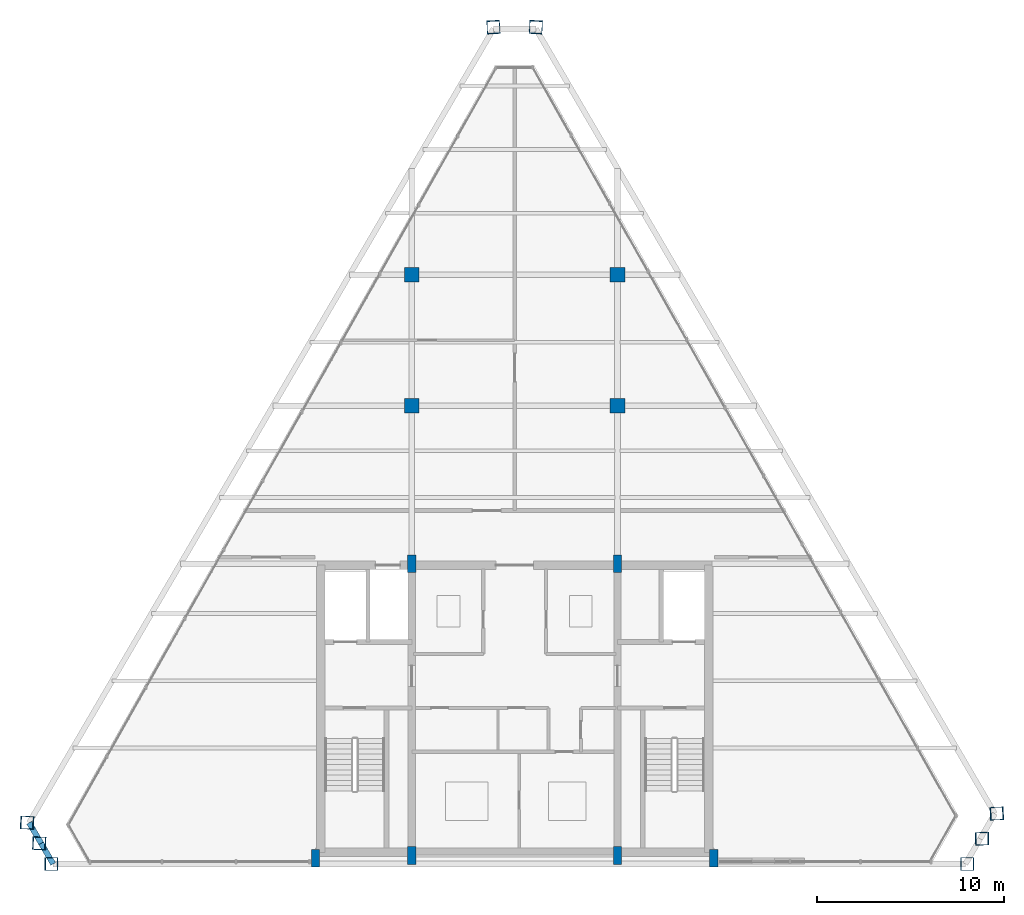
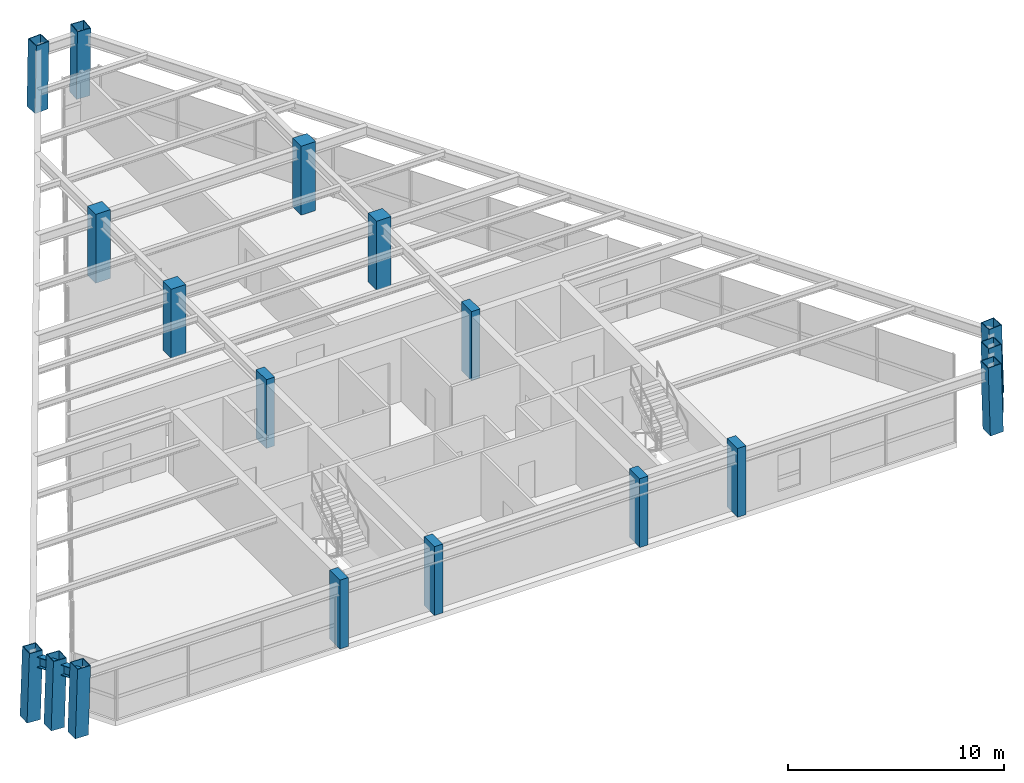
# One storey, part 1 of 12: 18 columns, 2 beams.
"""IFC4 building model written with IfcOpenShell, lengths in metres."""

import ifcopenshell
import ifcopenshell.guid

model = None  # the IFC model being written
_history = None  # IfcOwnerHistory: only IFC2X3 demands one
_inside = {}  # id of a spatial element -> (the spatial element, [elements in it])
_under = {}  # id of a project, library or spatial element -> (it, [spatial elements below it])
_declared = {}  # id of a project -> (the project, [libraries it declares])
_typed = {}  # id of a type object -> (the type object, [elements of that type])
_made_of = {}  # id of a material, layer set ... -> (it, [elements and type objects made of it])


def new_model(schema):
    """Start an empty IFC model of exactly this schema.

    Asked for "IFC4X3", IfcOpenShell would pick the latest addendum, in which some entities
    have other attributes; the version numbers below select the first issue.
    IFC2X3 requires an IfcOwnerHistory on every rooted entity: one is made here for all.
    """
    global model, _history
    if schema == "IFC4X3":
        model = ifcopenshell.file(schema_version=(4, 3, 0, 0))
    else:
        model = ifcopenshell.file(schema=schema)
    _inside.clear()
    _under.clear()
    _declared.clear()
    _typed.clear()
    _made_of.clear()
    _history = None
    if model.schema == "IFC2X3":
        org = make("IfcOrganization", Name="unknown")
        user = make(
            "IfcPersonAndOrganization",
            ThePerson=make("IfcPerson", FamilyName="unknown"),
            TheOrganization=org,
        )
        app = make(
            "IfcApplication",
            ApplicationDeveloper=org,
            Version="unknown",
            ApplicationFullName="unknown",
            ApplicationIdentifier="unknown",
        )
        _history = make(
            "IfcOwnerHistory",
            OwningUser=user,
            OwningApplication=app,
            ChangeAction="ADDED",
            CreationDate=0,
        )
    return model


def make(cls, **values):
    """One entity of the class cls with the attributes given. An attribute that is None is left unset."""
    return model.create_entity(
        cls, **{name: value for name, value in values.items() if value is not None}
    )


def rooted(cls, **values):
    """An entity with a GlobalId (a new one), such as an element, a storey or a relation."""
    return make(cls, GlobalId=ifcopenshell.guid.new(), OwnerHistory=_history, **values)


def si_unit(unit_type, name, prefix=None):
    """IfcSIUnit, for example si_unit("LENGTHUNIT", "METRE", prefix="MILLI")."""
    return make("IfcSIUnit", UnitType=unit_type, Prefix=prefix, Name=name)


def assignment(units):
    """IfcUnitAssignment: the units of a project."""
    return None if units is None else make("IfcUnitAssignment", Units=units)


def point(xyz):
    """IfcCartesianPoint."""
    return None if xyz is None else make("IfcCartesianPoint", Coordinates=xyz)


def direction(xyz):
    """IfcDirection."""
    return None if xyz is None else make("IfcDirection", DirectionRatios=xyz)


def frame(location, z_axis=None, x_axis=None):
    """IfcAxis2Placement3D, a coordinate frame: its origin and axes. An axis left out is left unset."""
    return make(
        "IfcAxis2Placement3D",
        Location=point(location),
        Axis=direction(z_axis),
        RefDirection=direction(x_axis),
    )


def frame_2d(location, x_axis=None):
    """IfcAxis2Placement2D, a coordinate frame in the plane: its origin and x axis."""
    return make(
        "IfcAxis2Placement2D", Location=point(location), RefDirection=direction(x_axis)
    )


def origin():
    """The frame at (0, 0, 0) with its axes left unset."""
    return frame((0.0, 0.0, 0.0))


def origin_2d():
    """The frame at (0, 0) in the plane with its x axis left unset."""
    return frame_2d((0.0, 0.0))


def place(relative_to, where):
    """IfcLocalPlacement: puts the frame where relative to a parent placement (None: the world)."""
    return make(
        "IfcLocalPlacement", PlacementRelTo=relative_to, RelativePlacement=where
    )


def context(
    kind, dimensions, precision=None, world=None, true_north=None, identifier=None
):
    """IfcGeometricRepresentationContext, for example the 3D "Model" context."""
    return make(
        "IfcGeometricRepresentationContext",
        ContextIdentifier=identifier,
        ContextType=kind,
        CoordinateSpaceDimension=dimensions,
        Precision=precision,
        WorldCoordinateSystem=world,
        TrueNorth=true_north,
    )


def subcontext(parent, identifier, kind, view, scale=None):
    """IfcGeometricRepresentationSubContext, for example "Body" below "Model"."""
    return make(
        "IfcGeometricRepresentationSubContext",
        ContextIdentifier=identifier,
        ContextType=kind,
        ParentContext=parent,
        TargetScale=scale,
        TargetView=view,
    )


def project(units=None, contexts=None):
    """IfcProject with its units and contexts."""
    return rooted(
        "IfcProject",
        Name="project",
        RepresentationContexts=contexts,
        UnitsInContext=assignment(units),
    )


def spatial(cls, under=None, at=None, **own):
    """A site, building, storey or space (cls), placed at a placement, below another one or the project."""
    s = rooted(cls, ObjectPlacement=at, **own)
    if under is not None:
        _under.setdefault(under.id(), (under, []))[1].append(s)
    return s


def profile(cls, at=None, kind="AREA", **sizes):
    """A parametric profile (cls). Its sizes go by their IFC names, for example OverallWidth=200.0."""
    return make(cls, ProfileType=kind, Position=at, **sizes)


def rectangle(**sizes):
    """IfcRectangleProfileDef."""
    return profile("IfcRectangleProfileDef", **sizes)


def hollow_rectangle(**sizes):
    """IfcRectangleHollowProfileDef."""
    return profile("IfcRectangleHollowProfileDef", **sizes)


def i_section(**sizes):
    """IfcIShapeProfileDef."""
    return profile("IfcIShapeProfileDef", **sizes)


def extrude(swept, where, along, depth):
    """IfcExtrudedAreaSolid: the profile swept, set in the frame where, extruded along a direction by depth."""
    return make(
        "IfcExtrudedAreaSolid",
        SweptArea=swept,
        Position=where,
        ExtrudedDirection=direction(along),
        Depth=depth,
    )


def shape(context_of_items, identifier, shape_type, items):
    """IfcShapeRepresentation: the items that make up one representation, for example the "Body"."""
    return make(
        "IfcShapeRepresentation",
        ContextOfItems=context_of_items,
        RepresentationIdentifier=identifier,
        RepresentationType=shape_type,
        Items=items,
    )


def source(mapping_origin, context_of_items, identifier, shape_type, items):
    """IfcRepresentationMap: a shape defined once, which mapped items show again and again."""
    return make(
        "IfcRepresentationMap",
        MappingOrigin=mapping_origin,
        MappedRepresentation=shape(context_of_items, identifier, shape_type, items),
    )


def transform(
    local_origin,
    x_axis=None,
    y_axis=None,
    z_axis=None,
    scale=None,
    scale2=None,
    scale3=None,
    uniform=True,
):
    """IfcCartesianTransformationOperator3D, or its non-uniform kind. x_axis, y_axis, z_axis: its Axis1, 2, 3."""
    if uniform:
        return make(
            "IfcCartesianTransformationOperator3D",
            Axis1=direction(x_axis),
            Axis2=direction(y_axis),
            LocalOrigin=point(local_origin),
            Scale=scale,
            Axis3=direction(z_axis),
        )
    return make(
        "IfcCartesianTransformationOperator3DnonUniform",
        Axis1=direction(x_axis),
        Axis2=direction(y_axis),
        LocalOrigin=point(local_origin),
        Scale=scale,
        Axis3=direction(z_axis),
        Scale2=scale2,
        Scale3=scale3,
    )


def mapped(mapping_source, mapping_target):
    """IfcMappedItem: shows the shape of a source again, moved by a transform."""
    return make(
        "IfcMappedItem", MappingSource=mapping_source, MappingTarget=mapping_target
    )


def material(Name=None, Category=None):
    """IfcMaterial."""
    return make("IfcMaterial", Name=Name, Category=Category)


def material_profile(
    of_material, cross_section, Name=None, Category=None, Priority=None
):
    """IfcMaterialProfile: a cross section and its material."""
    return make(
        "IfcMaterialProfile",
        Name=Name,
        Material=of_material,
        Profile=cross_section,
        Priority=Priority,
        Category=Category,
    )


def profile_set(profiles, Name=None, composite=None):
    """IfcMaterialProfileSet."""
    return make(
        "IfcMaterialProfileSet",
        Name=Name,
        MaterialProfiles=profiles,
        CompositeProfile=composite,
    )


def made_of(thing, what):
    """Note that an element or type object is made of a material, layer set ...; save() writes the relation."""
    if what is not None:
        _made_of.setdefault(what.id(), (what, []))[1].append(thing)
    return thing


def type_object(cls, material=None, **own):
    """A type object (cls), such as IfcWallType, which elements share."""
    return made_of(rooted(cls, **own), material)


def element(
    cls,
    number,
    at=None,
    inside=None,
    cuts=None,
    type_object=None,
    material=None,
    context=None,
    identifier="Body",
    shape_type=None,
    held_by="IfcProductDefinitionShape",
    body=None,
    shapes=None,
    **own,
):
    """One element of the class cls, such as IfcWall. Its Tag is "e" and its number.

    at: its placement. inside: the storey or other place that contains it. cuts: it is an
    opening in that element (IfcRelVoidsElement). A single representation is given by context,
    identifier, shape_type and body (its items); several are given by shapes. held_by: the class
    of the entity that holds the representations. save() writes the other relations.
    """
    e = rooted(cls, Tag="e%d" % number, ObjectPlacement=at, **own)
    if body is not None:
        shapes = [shape(context, identifier, shape_type, body)]
    if shapes is not None:
        e.Representation = make(held_by, Representations=shapes)
    if inside is not None:
        _inside.setdefault(inside.id(), (inside, []))[1].append(e)
    if cuts is not None:
        rooted(
            "IfcRelVoidsElement", RelatingBuildingElement=cuts, RelatedOpeningElement=e
        )
    if type_object is not None:
        _typed.setdefault(type_object.id(), (type_object, []))[1].append(e)
    return made_of(e, material)


def aggregate(whole, parts):
    """IfcRelAggregates: a whole, such as a stair, and the parts it consists of."""
    return rooted("IfcRelAggregates", RelatingObject=whole, RelatedObjects=parts)


def save(model, path):
    """Write the relations noted so far, then the file.

    IfcRelAggregates (storeys below a building ...), IfcRelContainedInSpatialStructure (elements
    in a storey), IfcRelDefinesByType, IfcRelAssociatesMaterial and IfcRelDeclares: one each for
    every whole, place, type object, material and project.
    """
    for whole, parts in _under.values():
        aggregate(whole, parts)
    for where, things in _inside.values():
        rooted(
            "IfcRelContainedInSpatialStructure",
            RelatedElements=things,
            RelatingStructure=where,
        )
    for kind, things in _typed.values():
        rooted("IfcRelDefinesByType", RelatedObjects=things, RelatingType=kind)
    for what, things in _made_of.values():
        rooted("IfcRelAssociatesMaterial", RelatedObjects=things, RelatingMaterial=what)
    for by, libraries in _declared.values():
        rooted("IfcRelDeclares", RelatingContext=by, RelatedDefinitions=libraries)
    model.write(path)


model = new_model("IFC4")

# Units and contexts
model_context = context("Model", 3, precision=1e-05, world=origin(), true_north=direction((0.0, 1.0)))
body_context = subcontext(model_context, "Body", "Model", "MODEL_VIEW")
ifc_project = project(units=[si_unit("LENGTHUNIT", "METRE"), si_unit("AREAUNIT", "SQUARE_METRE"), si_unit("VOLUMEUNIT", "CUBIC_METRE"), si_unit("PLANEANGLEUNIT", "RADIAN"), si_unit("MASSUNIT", "GRAM", prefix="KILO")], contexts=[model_context])

# Site, building, storey
site_placement = place(None, origin())
site = spatial("IfcSite", under=ifc_project, at=site_placement, CompositionType="ELEMENT")
building_placement = place(site_placement, origin())
building = spatial("IfcBuilding", under=site, at=building_placement, Name="Varnakhor Terracotta Tower", CompositionType="ELEMENT")
storey_placement = place(building_placement, frame((0.0, 0.0, 317.5)))
storey = spatial("IfcBuildingStorey", under=building, at=storey_placement, Name="L83 Crown", CompositionType="ELEMENT", Elevation=317.5)

# Columns
ifc_material_1 = material(Name="Concrete C50/60", Category="concrete")
ifc_material_profile_1 = material_profile(ifc_material_1, rectangle(XDim=0.449951171875, YDim=0.949951171875, at=origin_2d()), Name="RC PILASTER 950x450")
ifc_profile_set_1 = profile_set([ifc_material_profile_1], Name="Concrete C50/60")
column_type_1 = type_object("IfcColumnType", Name="COL-PIL-950x450", PredefinedType="PILASTER", material=ifc_profile_set_1)
shared_shape_1 = source(origin(), body_context, "Body", "SweptSolid", [
    extrude(rectangle(XDim=0.449951171875, YDim=0.949951171875, at=origin_2d()), origin(), (0.0, 0.0, 1.0), 3.89990234375),
])
for number, where, z_axis, x_axis, name in (
    (1, (-10.64990234375, 0.300048828125, 0.0), (0.0, 0.0, 1.0), (1.0, 0.0, 0.0), "L83 Crown Core Pilaster CP1"),
    (2, (-5.5, 0.449951171875, 0.0), (0.0, 0.0, 1.0), (1.0, 0.0, 0.0), "L83 Crown Core Pilaster CP2"),
    (3, (5.5, 0.449951171875, 0.0), (0.0, 0.0, 1.0), (1.0, 0.0, 0.0), "L83 Crown Core Pilaster CP3"),
    (4, (10.64990234375, 0.300048828125, 0.0), (0.0, 0.0, 1.0), (1.0, 0.0, 0.0), "L83 Crown Core Pilaster CP4"),
    (5, (-5.5, 16.050048828125, 0.0), (0.0, 0.0, 1.0), (1.0, 0.0, 0.0), "L83 Crown Core Pilaster CP5"),
    (6, (5.5, 16.050048828125, 0.0), (0.0, 0.0, 1.0), (1.0, 0.0, 0.0), "L83 Crown Core Pilaster CP6"),
):
    element("IfcColumn", number, at=place(storey_placement, frame(where, z_axis=z_axis, x_axis=x_axis)), inside=storey, type_object=column_type_1, Name=name, PredefinedType="PILASTER", context=body_context, shape_type="MappedRepresentation", body=[
        mapped(shared_shape_1, transform((0.0, 0.0, 0.0), scale=1.0)),
    ])
ifc_material_2 = material(Name="Steel S355", Category="steel")
ifc_material_profile_2 = material_profile(ifc_material_2, hollow_rectangle(XDim=0.699951171875, YDim=0.699951171875, WallThickness=0.035888671875, at=origin_2d()), Name="BOX 700x700x36")
ifc_profile_set_2 = profile_set([ifc_material_profile_2], Name="Steel S355")
column_type_2 = type_object("IfcColumnType", Name="COL-MEGA-700", PredefinedType="COLUMN", material=ifc_profile_set_2)
shared_shape_2 = source(origin(), body_context, "Body", "SweptSolid", [
    extrude(hollow_rectangle(XDim=0.699951171875, YDim=0.699951171875, WallThickness=0.035888671875, at=origin_2d()), origin(), (0.0, 0.0, 1.0), 3.89306640625),
])
for number, where, z_axis, x_axis, name in (
    (7, (25.802978515625, 2.697021484375, 0.00439453125), (-0.031544053103, -0.001505084045, 0.999501229332), (0.047659497757, -0.99886364048, 0.0), "L83 Crown Perimeter Mega-Column M4"),
    (8, (-26.090576171875, 2.206787109375, 0.00439453125), (0.031919954042, -0.001254222163, 0.999489641497), (0.039262433532, 0.999228933385, 0.0), "L83 Crown Perimeter Mega-Column M7"),
    (9, (-25.443603515625, 1.103515625, 0.00439453125), (0.031105525821, -0.00068984029, 0.999515868), (0.022171967518, 0.999754171712, 0.0), "L83 Crown Perimeter Mega-Column M8"),
):
    element("IfcColumn", number, at=place(storey_placement, frame(where, z_axis=z_axis, x_axis=x_axis)), inside=storey, type_object=column_type_2, Name=name, PredefinedType="COLUMN", context=body_context, shape_type="MappedRepresentation", body=[
        mapped(shared_shape_2, transform((0.0, 0.0, 0.0), scale=1.0)),
    ])
shared_shape_3 = source(origin(), body_context, "Body", "SweptSolid", [
    extrude(hollow_rectangle(XDim=0.699951171875, YDim=0.699951171875, WallThickness=0.035888671875, at=origin_2d()), origin(), (0.0, 0.0, 1.0), 3.892822265625),
])
for number, where, z_axis, x_axis, name in (
    (10, (-24.796630859375, 0.0, 0.00439453125), (0.030291025332, 0.0, 0.999541121607), (0.0, 1.0, 0.0), "L83 Crown Perimeter Mega-Column M1"),
    (11, (24.2216796875, 0.0, 0.00439453125), (-0.029664439652, 0.0, 0.999559913672), (0.0, -1.0, 0.0), "L83 Crown Perimeter Mega-Column M2"),
    (12, (25.01220703125, 1.348388671875, 0.00439453125), (-0.030541642379, -0.000689852292, 0.999533257168), (0.022581509358, -0.999745005206, 0.0), "L83 Crown Perimeter Mega-Column M3"),
):
    element("IfcColumn", number, at=place(storey_placement, frame(where, z_axis=z_axis, x_axis=x_axis)), inside=storey, type_object=column_type_2, Name=name, PredefinedType="COLUMN", context=body_context, shape_type="MappedRepresentation", body=[
        mapped(shared_shape_3, transform((0.0, 0.0, 0.0), scale=1.0)),
    ])
ifc_material_profile_3 = material_profile(ifc_material_1, rectangle(XDim=0.780029296875, YDim=0.780029296875, at=origin_2d()), Name="RC 780x780")
ifc_profile_set_3 = profile_set([ifc_material_profile_3], Name="Concrete C50/60")
column_type_3 = type_object("IfcColumnType", Name="COL-RC-780", PredefinedType="COLUMN", material=ifc_profile_set_3)
shared_shape_4 = source(origin(), body_context, "Body", "SweptSolid", [
    extrude(rectangle(XDim=0.780029296875, YDim=0.780029296875, at=origin_2d()), origin(), (0.0, 0.0, 1.0), 3.89990234375),
])
for number, where, z_axis, x_axis, name in (
    (13, (-5.5, 24.5, 0.0), (0.0, 0.0, 1.0), (1.0, 0.0, 0.0), "L83 Crown Interior Tower Column IC1"),
    (14, (5.5, 24.5, 0.0), (0.0, 0.0, 1.0), (1.0, 0.0, 0.0), "L83 Crown Interior Tower Column IC2"),
    (15, (-5.5, 31.5, 0.0), (0.0, 0.0, 1.0), (1.0, 0.0, 0.0), "L83 Crown Interior Tower Column IC3"),
    (16, (5.5, 31.5, 0.0), (0.0, 0.0, 1.0), (1.0, 0.0, 0.0), "L83 Crown Interior Tower Column IC4"),
):
    element("IfcColumn", number, at=place(storey_placement, frame(where, z_axis=z_axis, x_axis=x_axis)), inside=storey, type_object=column_type_3, Name=name, PredefinedType="COLUMN", context=body_context, shape_type="MappedRepresentation", body=[
        mapped(shared_shape_4, transform((0.0, 0.0, 0.0), scale=1.0)),
    ])
shared_shape_5 = source(origin(), body_context, "Body", "SweptSolid", [
    extrude(hollow_rectangle(XDim=0.699951171875, YDim=0.699951171875, WallThickness=0.035888671875, at=origin_2d()), origin(), (0.0, 0.0, 1.0), 3.892333984375),
])
for number, where, z_axis, x_axis, name in (
    (17, (1.136474609375, 44.7646484375, 0.00439453125), (-0.001379904292, -0.025340060637, 0.999677936733), (0.998520591687, -0.054374883706, 0.0), "L83 Crown Perimeter Mega-Column M5"),
    (18, (-1.136474609375, 44.7646484375, 0.00439453125), (0.001379904292, -0.025340060637, 0.999677936733), (0.998520591687, 0.054374883706, 0.0), "L83 Crown Perimeter Mega-Column M6"),
):
    element("IfcColumn", number, at=place(storey_placement, frame(where, z_axis=z_axis, x_axis=x_axis)), inside=storey, type_object=column_type_2, Name=name, PredefinedType="COLUMN", context=body_context, shape_type="MappedRepresentation", body=[
        mapped(shared_shape_5, transform((0.0, 0.0, 0.0), scale=1.0)),
    ])

# Beams
ifc_material_profile_4 = material_profile(ifc_material_2, i_section(OverallWidth=0.300048828125, OverallDepth=0.60009765625, WebThickness=0.015380859375, FlangeThickness=0.030029296875, FilletRadius=0.01806640625, at=origin_2d()), Name="HEB600")
ifc_profile_set_4 = profile_set([ifc_material_profile_4], Name="Steel S355")
beam_type = type_object("IfcBeamType", Name="BM-HEB600", PredefinedType="BEAM", material=ifc_profile_set_4)
shared_shape_6 = source(origin(), body_context, "Body", "SweptSolid", [
    extrude(i_section(OverallWidth=0.300048828125, OverallDepth=0.60009765625, WebThickness=0.015380859375, FlangeThickness=0.030029296875, FilletRadius=0.01806640625, at=origin_2d()), origin(), (0.0, 0.0, 1.0), 1.275390625),
])
beam_1_placement = place(storey_placement, frame((-25.96630859375, 2.201904296875, 3.300048828125), z_axis=(0.504751453709, -0.863264716051, 0.0), x_axis=(0.863264716051, 0.504751453709, 0.0)))
element("IfcBeam", 19, at=beam_1_placement, inside=storey, type_object=beam_type, Name="L83 Crown Perimeter Spandrel 7", PredefinedType="BEAM", context=body_context, shape_type="MappedRepresentation", body=[
    mapped(shared_shape_6, transform((0.0, 0.0, 0.0), scale=1.0)),
])
shared_shape_7 = source(origin(), body_context, "Body", "SweptSolid", [
    extrude(i_section(OverallWidth=0.300048828125, OverallDepth=0.60009765625, WebThickness=0.015380859375, FlangeThickness=0.030029296875, FilletRadius=0.01806640625, at=origin_2d()), origin(), (0.0, 0.0, 1.0), 1.275146484375),
])
beam_2_placement = place(storey_placement, frame((-25.322509765625, 1.100830078125, 3.300048828125), z_axis=(0.504834869546, -0.863215937347, 0.0), x_axis=(0.863215937347, 0.504834869546, 0.0)))
element("IfcBeam", 20, at=beam_2_placement, inside=storey, type_object=beam_type, Name="L83 Crown Perimeter Spandrel 8", PredefinedType="BEAM", context=body_context, shape_type="MappedRepresentation", body=[
    mapped(shared_shape_7, transform((0.0, 0.0, 0.0), scale=1.0)),
])

save(model, "model.ifc")
